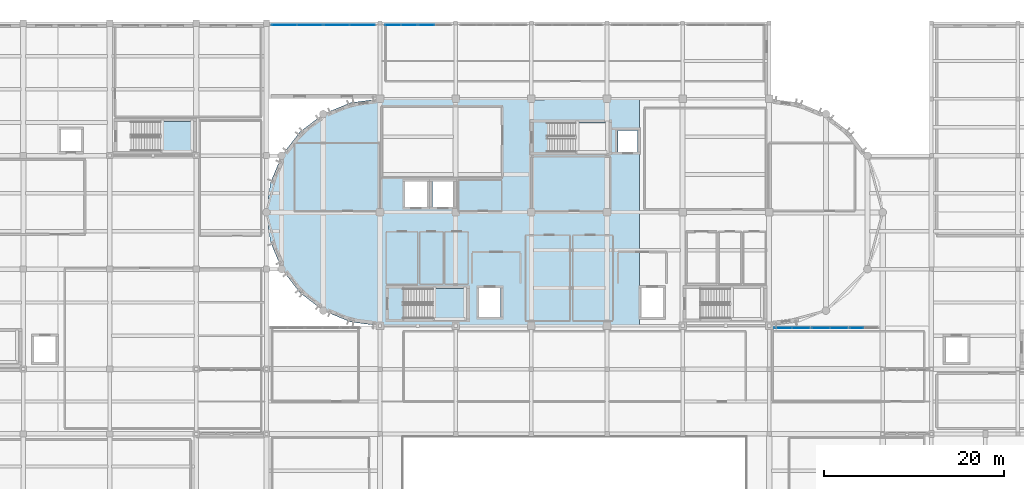
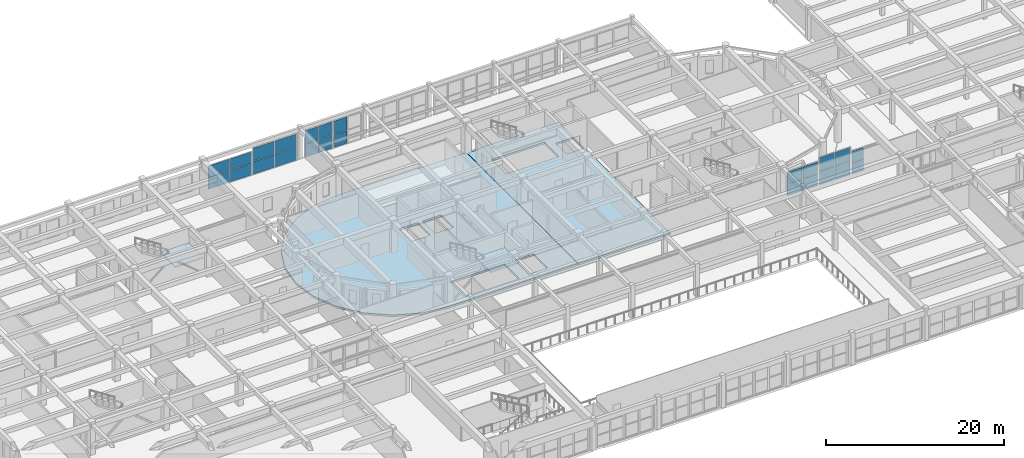
# One storey, part 58 of 92: 24 plates, 4 slabs, 9 elements without a shape of their own.
"""IFC4 building model written with IfcOpenShell, lengths in metres."""

from ifc_helpers import new_model, si_unit, direction, frame, origin, origin_2d, place, context, subcontext, project, spatial, polyline, rectangle, outline, extrude, material, layer, layer_set, type_object, element, aggregate, save


model = new_model("IFC4")

# Units and contexts
model_context = context("Model", 3, precision=1e-05, world=origin(), true_north=direction((0.0, 1.0)))
body_context = subcontext(model_context, "Body", "Model", "MODEL_VIEW")
ifc_project = project(units=[si_unit("LENGTHUNIT", "METRE"), si_unit("AREAUNIT", "SQUARE_METRE"), si_unit("VOLUMEUNIT", "CUBIC_METRE"), si_unit("PLANEANGLEUNIT", "RADIAN"), si_unit("MASSUNIT", "GRAM", prefix="KILO")], contexts=[model_context])

# Site, building, storey
site_placement = place(None, origin())
site = spatial("IfcSite", under=ifc_project, at=site_placement, CompositionType="ELEMENT")
building_placement = place(site_placement, origin())
building = spatial("IfcBuilding", under=site, at=building_placement, Name="Tarnavel Promenade Courthouse", CompositionType="ELEMENT")
storey_placement = place(building_placement, frame((0.0, 0.0, 5.39990234375)))
storey = spatial("IfcBuildingStorey", under=building, at=storey_placement, Name="L02", CompositionType="ELEMENT", Elevation=5.39990234375)

# Stair, slab
ifc_material_1 = material(Name="Concrete C35/45", Category="concrete")
stair_type_1 = type_object("IfcStairType", Name="Concrete C35/45 Half-Turn Stair STR-03 (1560W-300G-24R)", PredefinedType="HALF_TURN_STAIR", material=ifc_material_1)
stair_1_placement = place(storey_placement, origin())
stair_1 = element("IfcStair", 1, at=stair_1_placement, inside=storey, type_object=stair_type_1, Name="L02 West Bar Firefighting Exit Stair", PredefinedType="HALF_TURN_STAIR")
ifc_layer_1 = layer(ifc_material_1, 0.205078125)
ifc_layer_set_1 = layer_set([ifc_layer_1], Name="Concrete C35/45")
slab_type_1 = type_object("IfcSlabType", Name="Concrete C35/45 Stair Landing SLB-LND-205 (205 mm)", PredefinedType="LANDING", material=ifc_layer_set_1)
slab_1_placement = place(storey_placement, frame((0.0, 0.0, 2.050048828125)))
slab_1 = element("IfcSlab", 2, at=slab_1_placement, type_object=slab_type_1, Name="ST-01 landing 1", PredefinedType="LANDING", context=body_context, shape_type="SweptSolid", body=[
    extrude(outline(polyline([(64.659912109375, 80.0), (68.39990234375, 80.0), (68.39990234375, 83.320068359375), (64.659912109375, 83.320068359375), (64.659912109375, 80.0)])), origin(), (0.0, 0.0, 1.0), 0.199951171875),
])
aggregate(stair_1, [slab_1])

stair_type_2 = type_object("IfcStairType", Name="Concrete C35/45 Half-Turn Stair STR-12 (1540W-300G-24R)", PredefinedType="HALF_TURN_STAIR", material=ifc_material_1)
stair_2_placement = place(storey_placement, origin())
stair_2 = element("IfcStair", 3, at=stair_2_placement, inside=storey, type_object=stair_type_2, Name="L02 Trial Courts North Exit Stair", PredefinedType="HALF_TURN_STAIR")
slab_2_placement = place(storey_placement, frame((0.0, 0.0, 2.050048828125)))
slab_2 = element("IfcSlab", 4, at=slab_2_placement, type_object=slab_type_1, Name="ST-07 landing 1", PredefinedType="LANDING", context=body_context, shape_type="SweptSolid", body=[
    extrude(outline(polyline([(34.43994140625, 98.60009765625), (38.10009765625, 98.60009765625), (38.10009765625, 101.8798828125), (34.43994140625, 101.8798828125), (34.43994140625, 98.60009765625)])), origin(), (0.0, 0.0, 1.0), 0.199951171875),
])
aggregate(stair_2, [slab_2])

# Slabs
ifc_material_2 = material(Name="Concrete C40/50", Category="concrete")
ifc_layer_2 = layer(ifc_material_2, 0.260009765625)
ifc_layer_set_2 = layer_set([ifc_layer_2], Name="Concrete C40/50")
slab_type_2 = type_object("IfcSlabType", Name="Concrete C40/50 SLB-PT-260 (260 mm)", PredefinedType="FLOOR", material=ifc_layer_set_2)
slab_3_placement = place(storey_placement, frame((0.0, 0.0, -0.260009765625)))
element("IfcSlab", 5, at=slab_3_placement, inside=storey, type_object=slab_type_2, Name="L02 Stacked Courts West Drum Floor Slab", PredefinedType="FLOOR", context=body_context, shape_type="SweptSolid", body=[
    extrude(outline(polyline([(75.580078125, 79.219970703125), (75.580078125, 104.3798828125), (58.800048828125, 104.39990234375), (55.538818359375, 103.970703125), (52.5, 102.7119140625), (49.890380859375, 100.70947265625), (47.88818359375, 98.10009765625), (46.62939453125, 95.06103515625), (46.199951171875, 91.800048828125), (46.62939453125, 88.538818359375), (47.88818359375, 85.5), (49.890380859375, 82.890380859375), (52.5, 80.88818359375), (55.538818359375, 79.62939453125), (58.800048828125, 79.199951171875), (75.580078125, 79.219970703125)]), holes=[polyline([(61.405029296875, 80.0), (68.39990234375, 80.0), (68.39990234375, 83.320068359375), (61.405029296875, 83.320068359375), (61.405029296875, 80.0)]), polyline([(69.800048828125, 80.199951171875), (72.199951171875, 80.199951171875), (72.199951171875, 83.39990234375), (69.800048828125, 83.39990234375), (69.800048828125, 80.199951171875)]), polyline([(61.60009765625, 92.39990234375), (64.0, 92.39990234375), (64.0, 95.199951171875), (61.60009765625, 95.199951171875), (61.60009765625, 92.39990234375)]), polyline([(64.60009765625, 92.39990234375), (67.0, 92.39990234375), (67.0, 95.199951171875), (64.60009765625, 95.199951171875), (64.60009765625, 92.39990234375)])]), origin(), (0.0, 0.0, 1.0), 0.260009765625),
])
slab_4_placement = place(storey_placement, frame((0.0, 0.0, -0.260009765625)))
element("IfcSlab", 6, at=slab_4_placement, inside=storey, type_object=slab_type_2, Name="L02 Stacked Courts Central Floor Slab", PredefinedType="FLOOR", context=body_context, shape_type="SweptSolid", body=[
    extrude(outline(polyline([(75.6201171875, 79.219970703125), (87.580078125, 79.219970703125), (87.580078125, 104.3798828125), (77.02001953125, 104.3798828125), (77.02001953125, 104.219970703125), (75.6201171875, 104.219970703125), (75.6201171875, 79.219970703125)]), holes=[polyline([(77.364990234375, 98.5), (84.199951171875, 98.5), (84.199951171875, 101.739990234375), (77.364990234375, 101.739990234375), (77.364990234375, 98.5)]), polyline([(85.199951171875, 98.5), (87.39990234375, 98.5), (87.39990234375, 100.89990234375), (85.199951171875, 100.89990234375), (85.199951171875, 98.5)])]), origin(), (0.0, 0.0, 1.0), 0.260009765625),
])

# Curtain wall, plates
ifc_material_3 = material(Name="Thermally Broken Anodised Aluminium Curtain Wall System", Category="aluminium")
ifc_layer_3 = layer(ifc_material_3, 0.2099609375)
ifc_layer_set_3 = layer_set([ifc_layer_3], Name="Thermally Broken Anodised Aluminium Curtain Wall System")
curtain_wall_type_1 = type_object("IfcCurtainWallType", Name="Thermally Broken Aluminium Triple-Glazed Curtain Wall CW-WG-N", PredefinedType="NOTDEFINED", material=ifc_layer_set_3)
curtain_wall_1_placement = place(storey_placement, origin())
curtain_wall_1 = element("IfcCurtainWall", 7, at=curtain_wall_1_placement, inside=storey, type_object=curtain_wall_type_1, Name="L02 Winter-Garden North Curtain Wall 111", PredefinedType="NOTDEFINED")
ifc_material_4 = material(Name="Triple Low-E Argon Insulated Glazing", Category="glass")
ifc_layer_4 = layer(ifc_material_4, 0.048095703125)
ifc_layer_set_4 = layer_set([ifc_layer_4], Name="Triple Low-E Argon Insulated Glazing")
plate_type = type_object("IfcPlateType", Name="Triple Low-E Argon Insulated Glazing Unit CWP-48 (48 mm)", PredefinedType="CURTAIN_PANEL", material=ifc_layer_set_4)
plate_1_placement = place(storey_placement, frame((103.544921875, 78.949951171875, 0.070068359375), z_axis=(0.0, 0.0, 1.0), x_axis=(1.0, 0.0, 0.0)))
plate_1 = element("IfcPlate", 8, at=plate_1_placement, type_object=plate_type, Name="CW-03 panel 1.1", PredefinedType="CURTAIN_PANEL", context=body_context, shape_type="SweptSolid", body=[
    extrude(rectangle(XDim=1.929931640625, YDim=0.048095703125, at=origin_2d()), origin(), (0.0, 0.0, 1.0), 1.580078125),
])
plate_2_placement = place(storey_placement, frame((103.544921875, 78.949951171875, 1.719970703125), z_axis=(0.0, 0.0, 1.0), x_axis=(1.0, 0.0, 0.0)))
plate_2 = element("IfcPlate", 9, at=plate_2_placement, type_object=plate_type, Name="CW-03 panel 1.2", PredefinedType="CURTAIN_PANEL", context=body_context, shape_type="SweptSolid", body=[
    extrude(rectangle(XDim=1.929931640625, YDim=0.048095703125, at=origin_2d()), origin(), (0.0, 0.0, 1.0), 1.580078125),
])
plate_3_placement = place(storey_placement, frame((105.554931640625, 78.949951171875, 0.070068359375), z_axis=(0.0, 0.0, 1.0), x_axis=(1.0, 0.0, 0.0)))
plate_3 = element("IfcPlate", 10, at=plate_3_placement, type_object=plate_type, Name="CW-03 panel 2.1", PredefinedType="CURTAIN_PANEL", context=body_context, shape_type="SweptSolid", body=[
    extrude(rectangle(XDim=1.929931640625, YDim=0.048095703125, at=origin_2d()), origin(), (0.0, 0.0, 1.0), 1.580078125),
])
plate_4_placement = place(storey_placement, frame((105.554931640625, 78.949951171875, 1.719970703125), z_axis=(0.0, 0.0, 1.0), x_axis=(1.0, 0.0, 0.0)))
plate_4 = element("IfcPlate", 11, at=plate_4_placement, type_object=plate_type, Name="CW-03 panel 2.2", PredefinedType="CURTAIN_PANEL", context=body_context, shape_type="SweptSolid", body=[
    extrude(rectangle(XDim=1.929931640625, YDim=0.048095703125, at=origin_2d()), origin(), (0.0, 0.0, 1.0), 1.580078125),
])
aggregate(curtain_wall_1, [plate_1, plate_2, plate_3, plate_4])

curtain_wall_2_placement = place(storey_placement, origin())
curtain_wall_2 = element("IfcCurtainWall", 12, at=curtain_wall_2_placement, inside=storey, type_object=curtain_wall_type_1, Name="L02 Winter-Garden North Curtain Wall 112", PredefinedType="NOTDEFINED")
plate_5_placement = place(storey_placement, frame((107.7451171875, 78.949951171875, 0.070068359375), z_axis=(0.0, 0.0, 1.0), x_axis=(1.0, 0.0, 0.0)))
plate_5 = element("IfcPlate", 13, at=plate_5_placement, type_object=plate_type, Name="CW-03 panel 1.1", PredefinedType="CURTAIN_PANEL", context=body_context, shape_type="SweptSolid", body=[
    extrude(rectangle(XDim=1.929931640625, YDim=0.048095703125, at=origin_2d()), origin(), (0.0, 0.0, 1.0), 1.830078125),
])
plate_6_placement = place(storey_placement, frame((107.7451171875, 78.949951171875, 1.969970703125), z_axis=(0.0, 0.0, 1.0), x_axis=(1.0, 0.0, 0.0)))
plate_6 = element("IfcPlate", 14, at=plate_6_placement, type_object=plate_type, Name="CW-03 panel 1.2", PredefinedType="CURTAIN_PANEL", context=body_context, shape_type="SweptSolid", body=[
    extrude(rectangle(XDim=1.929931640625, YDim=0.048095703125, at=origin_2d()), origin(), (0.0, 0.0, 1.0), 1.830078125),
])
plate_7_placement = place(storey_placement, frame((109.7548828125, 78.949951171875, 0.070068359375), z_axis=(0.0, 0.0, 1.0), x_axis=(1.0, 0.0, 0.0)))
plate_7 = element("IfcPlate", 15, at=plate_7_placement, type_object=plate_type, Name="CW-03 panel 2.1", PredefinedType="CURTAIN_PANEL", context=body_context, shape_type="SweptSolid", body=[
    extrude(rectangle(XDim=1.929931640625, YDim=0.048095703125, at=origin_2d()), origin(), (0.0, 0.0, 1.0), 1.830078125),
])
plate_8_placement = place(storey_placement, frame((109.7548828125, 78.949951171875, 1.969970703125), z_axis=(0.0, 0.0, 1.0), x_axis=(1.0, 0.0, 0.0)))
plate_8 = element("IfcPlate", 16, at=plate_8_placement, type_object=plate_type, Name="CW-03 panel 2.2", PredefinedType="CURTAIN_PANEL", context=body_context, shape_type="SweptSolid", body=[
    extrude(rectangle(XDim=1.929931640625, YDim=0.048095703125, at=origin_2d()), origin(), (0.0, 0.0, 1.0), 1.830078125),
])
aggregate(curtain_wall_2, [plate_5, plate_6, plate_7, plate_8])

curtain_wall_3_placement = place(storey_placement, origin())
curtain_wall_3 = element("IfcCurtainWall", 17, at=curtain_wall_3_placement, inside=storey, type_object=curtain_wall_type_1, Name="L02 Winter-Garden North Curtain Wall 113", PredefinedType="NOTDEFINED")
plate_9_placement = place(storey_placement, frame((111.719970703125, 78.949951171875, 0.0703125), z_axis=(0.0, 0.0, 1.0), x_axis=(1.0, 0.0, 0.0)))
plate_9 = element("IfcPlate", 18, at=plate_9_placement, type_object=plate_type, Name="CW-03 panel 1.1", PredefinedType="CURTAIN_PANEL", context=body_context, shape_type="SweptSolid", body=[
    extrude(rectangle(XDim=1.47998046875, YDim=0.048095703125, at=origin_2d()), origin(), (0.0, 0.0, 1.0), 1.530029296875),
])
plate_10_placement = place(storey_placement, frame((111.719970703125, 78.949951171875, 1.669921875), z_axis=(0.0, 0.0, 1.0), x_axis=(1.0, 0.0, 0.0)))
plate_10 = element("IfcPlate", 19, at=plate_10_placement, type_object=plate_type, Name="CW-03 panel 1.2", PredefinedType="CURTAIN_PANEL", context=body_context, shape_type="SweptSolid", body=[
    extrude(rectangle(XDim=1.47998046875, YDim=0.048095703125, at=origin_2d()), origin(), (0.0, 0.0, 1.0), 1.530029296875),
])
aggregate(curtain_wall_3, [plate_9, plate_10])

ifc_layer_5 = layer(ifc_material_3, 0.199951171875)
ifc_layer_set_5 = layer_set([ifc_layer_5], Name="Thermally Broken Anodised Aluminium Curtain Wall System")
curtain_wall_type_2 = type_object("IfcCurtainWallType", Name="Thermally Broken Aluminium Triple-Glazed Curtain Wall CW-FOYER", PredefinedType="NOTDEFINED", material=ifc_layer_set_5)
curtain_wall_4_placement = place(storey_placement, origin())
curtain_wall_4 = element("IfcCurtainWall", 20, at=curtain_wall_4_placement, inside=storey, type_object=curtain_wall_type_2, Name="L02 North Foyer Curtain Wall A 126", PredefinedType="NOTDEFINED")
plate_11_placement = place(storey_placement, frame((48.14501953125, 112.580078125, 0.0703125), z_axis=(0.0, 0.0, 1.0), x_axis=(1.0, 0.0, 0.0)))
plate_11 = element("IfcPlate", 21, at=plate_11_placement, type_object=plate_type, Name="CW-04 panel 1.1", PredefinedType="CURTAIN_PANEL", context=body_context, shape_type="SweptSolid", body=[
    extrude(rectangle(XDim=2.77001953125, YDim=0.048095703125, at=origin_2d()), origin(), (0.0, 0.0, 1.0), 1.554931640625),
])
plate_12_placement = place(storey_placement, frame((48.14501953125, 112.580078125, 1.6953125), z_axis=(0.0, 0.0, 1.0), x_axis=(1.0, 0.0, 0.0)))
plate_12 = element("IfcPlate", 22, at=plate_12_placement, type_object=plate_type, Name="CW-04 panel 1.2", PredefinedType="CURTAIN_PANEL", context=body_context, shape_type="SweptSolid", body=[
    extrude(rectangle(XDim=2.77001953125, YDim=0.048095703125, at=origin_2d()), origin(), (0.0, 0.0, 1.0), 1.554931640625),
])
plate_13_placement = place(storey_placement, frame((50.9951171875, 112.580078125, 0.0703125), z_axis=(0.0, 0.0, 1.0), x_axis=(1.0, 0.0, 0.0)))
plate_13 = element("IfcPlate", 23, at=plate_13_placement, type_object=plate_type, Name="CW-04 panel 2.1", PredefinedType="CURTAIN_PANEL", context=body_context, shape_type="SweptSolid", body=[
    extrude(rectangle(XDim=2.77001953125, YDim=0.048095703125, at=origin_2d()), origin(), (0.0, 0.0, 1.0), 1.554931640625),
])
plate_14_placement = place(storey_placement, frame((50.9951171875, 112.580078125, 1.6953125), z_axis=(0.0, 0.0, 1.0), x_axis=(1.0, 0.0, 0.0)))
plate_14 = element("IfcPlate", 24, at=plate_14_placement, type_object=plate_type, Name="CW-04 panel 2.2", PredefinedType="CURTAIN_PANEL", context=body_context, shape_type="SweptSolid", body=[
    extrude(rectangle(XDim=2.77001953125, YDim=0.048095703125, at=origin_2d()), origin(), (0.0, 0.0, 1.0), 1.554931640625),
])
aggregate(curtain_wall_4, [plate_11, plate_12, plate_13, plate_14])

curtain_wall_5_placement = place(storey_placement, origin())
curtain_wall_5 = element("IfcCurtainWall", 25, at=curtain_wall_5_placement, inside=storey, type_object=curtain_wall_type_2, Name="L02 North Foyer Curtain Wall B 127", PredefinedType="NOTDEFINED")
plate_15_placement = place(storey_placement, frame((54.0048828125, 112.580078125, 0.070068359375), z_axis=(0.0, 0.0, 1.0), x_axis=(1.0, 0.0, 0.0)))
plate_15 = element("IfcPlate", 26, at=plate_15_placement, type_object=plate_type, Name="CW-04 panel 1.1", PredefinedType="CURTAIN_PANEL", context=body_context, shape_type="SweptSolid", body=[
    extrude(rectangle(XDim=2.77001953125, YDim=0.048095703125, at=origin_2d()), origin(), (0.0, 0.0, 1.0), 1.7548828125),
])
plate_16_placement = place(storey_placement, frame((54.0048828125, 112.580078125, 1.895263671875), z_axis=(0.0, 0.0, 1.0), x_axis=(1.0, 0.0, 0.0)))
plate_16 = element("IfcPlate", 27, at=plate_16_placement, type_object=plate_type, Name="CW-04 panel 1.2", PredefinedType="CURTAIN_PANEL", context=body_context, shape_type="SweptSolid", body=[
    extrude(rectangle(XDim=2.77001953125, YDim=0.048095703125, at=origin_2d()), origin(), (0.0, 0.0, 1.0), 1.7548828125),
])
plate_17_placement = place(storey_placement, frame((56.85498046875, 112.580078125, 0.070068359375), z_axis=(0.0, 0.0, 1.0), x_axis=(1.0, 0.0, 0.0)))
plate_17 = element("IfcPlate", 28, at=plate_17_placement, type_object=plate_type, Name="CW-04 panel 2.1", PredefinedType="CURTAIN_PANEL", context=body_context, shape_type="SweptSolid", body=[
    extrude(rectangle(XDim=2.77001953125, YDim=0.048095703125, at=origin_2d()), origin(), (0.0, 0.0, 1.0), 1.7548828125),
])
plate_18_placement = place(storey_placement, frame((56.85498046875, 112.580078125, 1.895263671875), z_axis=(0.0, 0.0, 1.0), x_axis=(1.0, 0.0, 0.0)))
plate_18 = element("IfcPlate", 29, at=plate_18_placement, type_object=plate_type, Name="CW-04 panel 2.2", PredefinedType="CURTAIN_PANEL", context=body_context, shape_type="SweptSolid", body=[
    extrude(rectangle(XDim=2.77001953125, YDim=0.048095703125, at=origin_2d()), origin(), (0.0, 0.0, 1.0), 1.7548828125),
])
aggregate(curtain_wall_5, [plate_15, plate_16, plate_17, plate_18])

curtain_wall_6_placement = place(storey_placement, origin())
curtain_wall_6 = element("IfcCurtainWall", 30, at=curtain_wall_6_placement, inside=storey, type_object=curtain_wall_type_2, Name="L02 North Foyer Curtain Wall A 128", PredefinedType="NOTDEFINED")
plate_19_placement = place(storey_placement, frame((60.219970703125, 112.580078125, 0.0703125), z_axis=(0.0, 0.0, 1.0), x_axis=(1.0, 0.0, 0.0)))
plate_19 = element("IfcPlate", 31, at=plate_19_placement, type_object=plate_type, Name="CW-04 panel 1.1", PredefinedType="CURTAIN_PANEL", context=body_context, shape_type="SweptSolid", body=[
    extrude(rectangle(XDim=1.719970703125, YDim=0.048095703125, at=origin_2d()), origin(), (0.0, 0.0, 1.0), 1.780029296875),
])
plate_20_placement = place(storey_placement, frame((60.219970703125, 112.580078125, 1.919921875), z_axis=(0.0, 0.0, 1.0), x_axis=(1.0, 0.0, 0.0)))
plate_20 = element("IfcPlate", 32, at=plate_20_placement, type_object=plate_type, Name="CW-04 panel 1.2", PredefinedType="CURTAIN_PANEL", context=body_context, shape_type="SweptSolid", body=[
    extrude(rectangle(XDim=1.719970703125, YDim=0.048095703125, at=origin_2d()), origin(), (0.0, 0.0, 1.0), 1.780029296875),
])
plate_21_placement = place(storey_placement, frame((62.02001953125, 112.580078125, 0.0703125), z_axis=(0.0, 0.0, 1.0), x_axis=(1.0, 0.0, 0.0)))
plate_21 = element("IfcPlate", 33, at=plate_21_placement, type_object=plate_type, Name="CW-04 panel 2.1", PredefinedType="CURTAIN_PANEL", context=body_context, shape_type="SweptSolid", body=[
    extrude(rectangle(XDim=1.719970703125, YDim=0.048095703125, at=origin_2d()), origin(), (0.0, 0.0, 1.0), 1.780029296875),
])
plate_22_placement = place(storey_placement, frame((62.02001953125, 112.580078125, 1.919921875), z_axis=(0.0, 0.0, 1.0), x_axis=(1.0, 0.0, 0.0)))
plate_22 = element("IfcPlate", 34, at=plate_22_placement, type_object=plate_type, Name="CW-04 panel 2.2", PredefinedType="CURTAIN_PANEL", context=body_context, shape_type="SweptSolid", body=[
    extrude(rectangle(XDim=1.719970703125, YDim=0.048095703125, at=origin_2d()), origin(), (0.0, 0.0, 1.0), 1.780029296875),
])
aggregate(curtain_wall_6, [plate_19, plate_20, plate_21, plate_22])

curtain_wall_7_placement = place(storey_placement, origin())
curtain_wall_7 = element("IfcCurtainWall", 35, at=curtain_wall_7_placement, inside=storey, type_object=curtain_wall_type_2, Name="L02 North Foyer Curtain Wall B 129", PredefinedType="NOTDEFINED")
plate_23_placement = place(storey_placement, frame((63.97998046875, 112.580078125, 0.0703125), z_axis=(0.0, 0.0, 1.0), x_axis=(1.0, 0.0, 0.0)))
plate_23 = element("IfcPlate", 36, at=plate_23_placement, type_object=plate_type, Name="CW-04 panel 1.1", PredefinedType="CURTAIN_PANEL", context=body_context, shape_type="SweptSolid", body=[
    extrude(rectangle(XDim=1.719970703125, YDim=0.048095703125, at=origin_2d()), origin(), (0.0, 0.0, 1.0), 1.780029296875),
])
plate_24_placement = place(storey_placement, frame((63.97998046875, 112.580078125, 1.919921875), z_axis=(0.0, 0.0, 1.0), x_axis=(1.0, 0.0, 0.0)))
plate_24 = element("IfcPlate", 37, at=plate_24_placement, type_object=plate_type, Name="CW-04 panel 1.2", PredefinedType="CURTAIN_PANEL", context=body_context, shape_type="SweptSolid", body=[
    extrude(rectangle(XDim=1.719970703125, YDim=0.048095703125, at=origin_2d()), origin(), (0.0, 0.0, 1.0), 1.780029296875),
])
aggregate(curtain_wall_7, [plate_23, plate_24])

save(model, "model.ifc")
